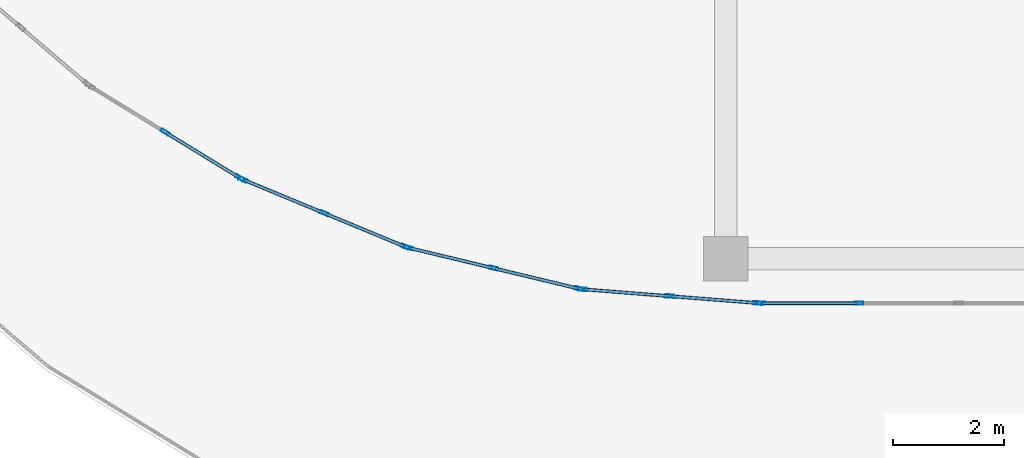
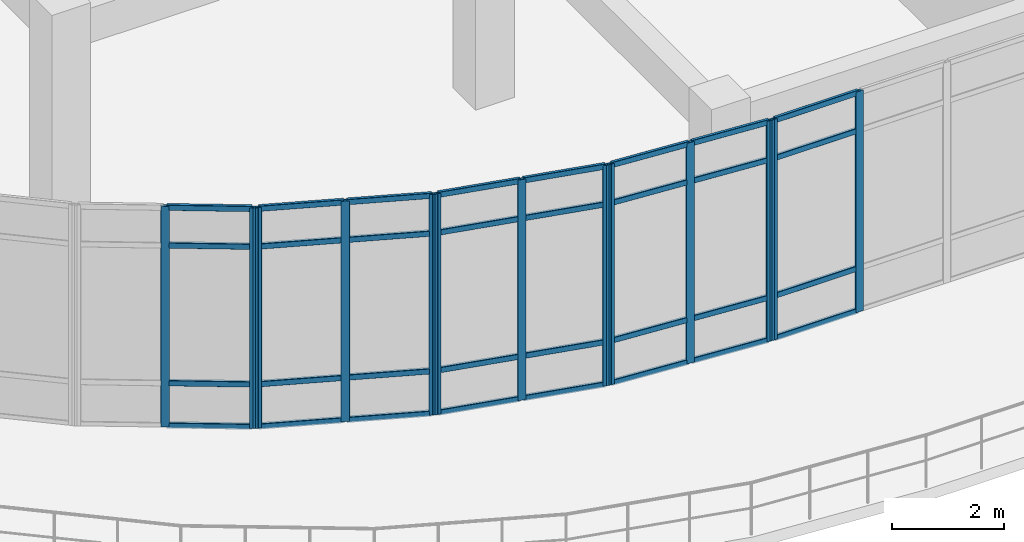
# One storey, part 7 of 96: 45 members, 5 elements without a shape of their own.
"""IFC4 building model written with IfcOpenShell, lengths in metres."""

from ifc_helpers import new_model, si_unit, derived_unit, direction, frame, origin, origin_2d, place, context, subcontext, project, spatial, hollow_rectangle, extrude, material, layer, layer_set, material_profile, profile_set, type_object, element, aggregate, save


model = new_model("IFC4")

# Units and contexts
model_context = context("Model", 3, precision=1e-05, world=origin(), true_north=direction((0.0, 1.0)))
body_context = subcontext(model_context, "Body", "Model", "MODEL_VIEW")
ifc_project = project(units=[si_unit("LENGTHUNIT", "METRE"), si_unit("AREAUNIT", "SQUARE_METRE"), si_unit("VOLUMEUNIT", "CUBIC_METRE"), si_unit("PLANEANGLEUNIT", "RADIAN"), si_unit("MASSUNIT", "GRAM", prefix="KILO"), derived_unit("THERMALTRANSMITTANCEUNIT", [(si_unit("MASSUNIT", "GRAM", prefix="KILO"), 1), (si_unit("TIMEUNIT", "SECOND"), -3), (si_unit("THERMODYNAMICTEMPERATUREUNIT", "KELVIN"), -1)])], contexts=[model_context])

# Site, building, storey
site_placement = place(None, origin())
site = spatial("IfcSite", under=ifc_project, at=site_placement, CompositionType="ELEMENT")
building_placement = place(site_placement, origin())
building = spatial("IfcBuilding", under=site, at=building_placement, Name="Qinzheling Arcade Emporium", CompositionType="ELEMENT")
storey_placement = place(building_placement, frame((0.0, 0.0, 21.60009765625)))
storey = spatial("IfcBuildingStorey", under=building, at=storey_placement, Name="L05", CompositionType="ELEMENT", Elevation=21.60009765625)

# Curtain wall, members
ifc_material_1 = material(Name="Anodised aluminium and solar-control double glazing", Category="aluminium")
ifc_layer_1 = layer(ifc_material_1, 0.159912109375, Name="Anodised aluminium and solar-control double glazing", Category="aluminium")
ifc_layer_set_1 = layer_set([ifc_layer_1], Name="Anodised aluminium and solar-control double glazing")
curtain_wall_type_1 = type_object("IfcCurtainWallType", Name="Arcade Portal Glazed Curtain Wall", PredefinedType="NOTDEFINED", material=ifc_layer_set_1)
curtain_wall_1_placement = place(storey_placement, origin())
curtain_wall_1 = element("IfcCurtainWall", 1, at=curtain_wall_1_placement, inside=storey, type_object=curtain_wall_type_1, Name="Curtain Wall CW-L05-301", PredefinedType="NOTDEFINED")
ifc_material_2 = material(Name="Anodised aluminium 6063-T6", Category="aluminium")
ifc_material_profile_1 = material_profile(ifc_material_2, hollow_rectangle(XDim=0.06005859375, YDim=0.159912109375, WallThickness=0.00390625, InnerFilletRadius=0.00390625, OuterFilletRadius=0.008056640625, at=origin_2d()), Name="RHS 160x60x4", Category="aluminium")
ifc_profile_set_1 = profile_set([ifc_material_profile_1], Name="Anodised aluminium 6063-T6")
member_type_1 = type_object("IfcMemberType", Name="Curtain Wall Mullion RHS160x60", PredefinedType="MULLION", material=ifc_profile_set_1)
member_1_placement = place(storey_placement, frame((28.494384765625, 7.60009765625, 0.0), z_axis=(0.0, 0.0, 1.0), x_axis=(0.0, -1.0, 0.0)))
member_1 = element("IfcMember", 2, at=member_1_placement, type_object=member_type_1, Name="CW05 mullion 4", PredefinedType="MULLION", context=body_context, shape_type="SweptSolid", body=[
    extrude(hollow_rectangle(XDim=0.06005859375, YDim=0.159912109375, WallThickness=0.00390625, InnerFilletRadius=0.00390625, OuterFilletRadius=0.008056640625, at=origin_2d()), origin(), (0.0, 0.0, 1.0), 4.789794921875),
])
member_2_placement = place(storey_placement, frame((26.72998046875, 7.60009765625, 0.0), z_axis=(0.0, 0.0, 1.0), x_axis=(0.0, -1.0, 0.0)))
member_2 = element("IfcMember", 3, at=member_2_placement, type_object=member_type_1, Name="CW05 mullion 5", PredefinedType="MULLION", context=body_context, shape_type="SweptSolid", body=[
    extrude(hollow_rectangle(XDim=0.06005859375, YDim=0.159912109375, WallThickness=0.00390625, InnerFilletRadius=0.00390625, OuterFilletRadius=0.008056640625, at=origin_2d()), origin(), (0.0, 0.0, 1.0), 4.789794921875),
])

ifc_layer_2 = layer(ifc_material_1, 0.159912109375, Name="Anodised aluminium and solar-control double glazing", Category="aluminium")
ifc_layer_set_2 = layer_set([ifc_layer_2], Name="Anodised aluminium and solar-control double glazing")
curtain_wall_type_2 = type_object("IfcCurtainWallType", Name="Curved Ribbon Sales Curtain Wall", PredefinedType="NOTDEFINED", material=ifc_layer_set_2)
curtain_wall_2_placement = place(storey_placement, origin())
curtain_wall_2 = element("IfcCurtainWall", 4, at=curtain_wall_2_placement, inside=storey, type_object=curtain_wall_type_2, Name="Curtain Wall CW-L05-302", PredefinedType="NOTDEFINED")
member_3_placement = place(storey_placement, frame((26.670166015625, 7.602294921875, 0.0), z_axis=(0.0, 0.0, 1.0), x_axis=(-0.078336637005, -0.996926963876, 0.0)))
member_3 = element("IfcMember", 5, at=member_3_placement, type_object=member_type_1, Name="CW02 mullion 1", PredefinedType="MULLION", context=body_context, shape_type="SweptSolid", body=[
    extrude(hollow_rectangle(XDim=0.06005859375, YDim=0.159912109375, WallThickness=0.00390625, InnerFilletRadius=0.00390625, OuterFilletRadius=0.008056640625, at=origin_2d()), origin(), (0.0, 0.0, 1.0), 4.789794921875),
])
member_4_placement = place(storey_placement, frame((25.096435546875, 7.72607421875, 0.0), z_axis=(0.0, 0.0, 1.0), x_axis=(-0.078336637005, -0.996926963876, 0.0)))
member_4 = element("IfcMember", 6, at=member_4_placement, type_object=member_type_1, Name="CW02 mullion 2", PredefinedType="MULLION", context=body_context, shape_type="SweptSolid", body=[
    extrude(hollow_rectangle(XDim=0.06005859375, YDim=0.159912109375, WallThickness=0.00390625, InnerFilletRadius=0.00390625, OuterFilletRadius=0.008056640625, at=origin_2d()), origin(), (0.0, 0.0, 1.0), 4.789794921875),
])
member_5_placement = place(storey_placement, frame((23.52294921875, 7.849609375, 0.0), z_axis=(0.0, 0.0, 1.0), x_axis=(-0.078336637005, -0.996926963876, 0.0)))
member_5 = element("IfcMember", 7, at=member_5_placement, type_object=member_type_1, Name="CW02 mullion 3", PredefinedType="MULLION", context=body_context, shape_type="SweptSolid", body=[
    extrude(hollow_rectangle(XDim=0.06005859375, YDim=0.159912109375, WallThickness=0.00390625, InnerFilletRadius=0.00390625, OuterFilletRadius=0.008056640625, at=origin_2d()), origin(), (0.0, 0.0, 1.0), 4.789794921875),
])

curtain_wall_3_placement = place(storey_placement, origin())
curtain_wall_3 = element("IfcCurtainWall", 8, at=curtain_wall_3_placement, inside=storey, type_object=curtain_wall_type_2, Name="Curtain Wall CW-L05-303", PredefinedType="NOTDEFINED")
member_6_placement = place(storey_placement, frame((23.4638671875, 7.85888671875, 0.0), z_axis=(0.0, 0.0, 1.0), x_axis=(-0.233455251725, -0.972367546477, 0.0)))
member_6 = element("IfcMember", 9, at=member_6_placement, type_object=member_type_1, Name="CW02 mullion 1", PredefinedType="MULLION", context=body_context, shape_type="SweptSolid", body=[
    extrude(hollow_rectangle(XDim=0.06005859375, YDim=0.159912109375, WallThickness=0.00390625, InnerFilletRadius=0.00390625, OuterFilletRadius=0.008056640625, at=origin_2d()), origin(), (0.0, 0.0, 1.0), 4.789794921875),
])
member_7_placement = place(storey_placement, frame((21.928955078125, 8.2275390625, 0.0), z_axis=(0.0, 0.0, 1.0), x_axis=(-0.233455251725, -0.972367546477, 0.0)))
member_7 = element("IfcMember", 10, at=member_7_placement, type_object=member_type_1, Name="CW02 mullion 2", PredefinedType="MULLION", context=body_context, shape_type="SweptSolid", body=[
    extrude(hollow_rectangle(XDim=0.06005859375, YDim=0.159912109375, WallThickness=0.00390625, InnerFilletRadius=0.00390625, OuterFilletRadius=0.008056640625, at=origin_2d()), origin(), (0.0, 0.0, 1.0), 4.789794921875),
])
member_8_placement = place(storey_placement, frame((20.394287109375, 8.595947265625, 0.0), z_axis=(0.0, 0.0, 1.0), x_axis=(-0.233455251725, -0.972367546477, 0.0)))
member_8 = element("IfcMember", 11, at=member_8_placement, type_object=member_type_1, Name="CW02 mullion 3", PredefinedType="MULLION", context=body_context, shape_type="SweptSolid", body=[
    extrude(hollow_rectangle(XDim=0.06005859375, YDim=0.159912109375, WallThickness=0.00390625, InnerFilletRadius=0.00390625, OuterFilletRadius=0.008056640625, at=origin_2d()), origin(), (0.0, 0.0, 1.0), 4.789794921875),
])

curtain_wall_4_placement = place(storey_placement, origin())
curtain_wall_4 = element("IfcCurtainWall", 12, at=curtain_wall_4_placement, inside=storey, type_object=curtain_wall_type_2, Name="Curtain Wall CW-L05-304", PredefinedType="NOTDEFINED")
member_9_placement = place(storey_placement, frame((20.33740234375, 8.614501953125, 0.0), z_axis=(0.0, 0.0, 1.0), x_axis=(-0.38267210045, -0.923884226263, 0.0)))
member_9 = element("IfcMember", 13, at=member_9_placement, type_object=member_type_1, Name="CW02 mullion 1", PredefinedType="MULLION", context=body_context, shape_type="SweptSolid", body=[
    extrude(hollow_rectangle(XDim=0.06005859375, YDim=0.159912109375, WallThickness=0.00390625, InnerFilletRadius=0.00390625, OuterFilletRadius=0.008056640625, at=origin_2d()), origin(), (0.0, 0.0, 1.0), 4.789794921875),
])
member_10_placement = place(storey_placement, frame((18.87890625, 9.218505859375, 0.0), z_axis=(0.0, 0.0, 1.0), x_axis=(-0.38267210045, -0.923884226263, 0.0)))
member_10 = element("IfcMember", 14, at=member_10_placement, type_object=member_type_1, Name="CW02 mullion 2", PredefinedType="MULLION", context=body_context, shape_type="SweptSolid", body=[
    extrude(hollow_rectangle(XDim=0.06005859375, YDim=0.159912109375, WallThickness=0.00390625, InnerFilletRadius=0.00390625, OuterFilletRadius=0.008056640625, at=origin_2d()), origin(), (0.0, 0.0, 1.0), 4.789794921875),
])
member_11_placement = place(storey_placement, frame((17.420654296875, 9.822509765625, 0.0), z_axis=(0.0, 0.0, 1.0), x_axis=(-0.38267210045, -0.923884226263, 0.0)))
member_11 = element("IfcMember", 15, at=member_11_placement, type_object=member_type_1, Name="CW02 mullion 3", PredefinedType="MULLION", context=body_context, shape_type="SweptSolid", body=[
    extrude(hollow_rectangle(XDim=0.06005859375, YDim=0.159912109375, WallThickness=0.00390625, InnerFilletRadius=0.00390625, OuterFilletRadius=0.008056640625, at=origin_2d()), origin(), (0.0, 0.0, 1.0), 4.789794921875),
])

curtain_wall_5_placement = place(storey_placement, origin())
curtain_wall_5 = element("IfcCurtainWall", 16, at=curtain_wall_5_placement, inside=storey, type_object=curtain_wall_type_2, Name="Curtain Wall CW-L05-305", PredefinedType="NOTDEFINED")
member_12_placement = place(storey_placement, frame((17.367431640625, 9.849609375, 0.0), z_axis=(0.0, 0.0, 1.0), x_axis=(-0.522518323638, -0.852628055756, 0.0)))
member_12 = element("IfcMember", 17, at=member_12_placement, type_object=member_type_1, Name="CW02 mullion 1", PredefinedType="MULLION", context=body_context, shape_type="SweptSolid", body=[
    extrude(hollow_rectangle(XDim=0.06005859375, YDim=0.159912109375, WallThickness=0.00390625, InnerFilletRadius=0.00390625, OuterFilletRadius=0.008056640625, at=origin_2d()), origin(), (0.0, 0.0, 1.0), 4.789794921875),
])
member_13_placement = place(storey_placement, frame((16.021484375, 10.674560546875, 0.0), z_axis=(0.0, 0.0, 1.0), x_axis=(-0.522518323638, -0.852628055756, 0.0)))
member_13 = element("IfcMember", 18, at=member_13_placement, type_object=member_type_1, Name="CW02 mullion 2", PredefinedType="MULLION", context=body_context, shape_type="SweptSolid", body=[
    extrude(hollow_rectangle(XDim=0.06005859375, YDim=0.159912109375, WallThickness=0.00390625, InnerFilletRadius=0.00390625, OuterFilletRadius=0.008056640625, at=origin_2d()), origin(), (0.0, 0.0, 1.0), 4.789794921875),
])

# Member
ifc_material_profile_2 = material_profile(ifc_material_2, hollow_rectangle(XDim=0.06005859375, YDim=0.1201171875, WallThickness=0.00390625, InnerFilletRadius=0.00390625, OuterFilletRadius=0.008056640625, at=origin_2d()), Name="RHS 120x60x4", Category="aluminium")
ifc_profile_set_2 = profile_set([ifc_material_profile_2], Name="Anodised aluminium 6063-T6")
member_type_2 = type_object("IfcMemberType", Name="Curtain Wall Transom RHS120x60", PredefinedType="USERDEFINED", material=ifc_profile_set_2)
member_14_placement = place(storey_placement, frame((28.464599609375, 7.60009765625, 0.02978515625), z_axis=(-1.0, 0.0, 0.0), x_axis=(0.0, -1.0, 0.0)))
member_14 = element("IfcMember", 19, at=member_14_placement, type_object=member_type_2, Name="CW05 transom 4.1", ObjectType="TRANSOM", PredefinedType="USERDEFINED", context=body_context, shape_type="SweptSolid", body=[
    extrude(hollow_rectangle(XDim=0.06005859375, YDim=0.1201171875, WallThickness=0.00390625, InnerFilletRadius=0.00390625, OuterFilletRadius=0.008056640625, at=origin_2d()), origin(), (0.0, 0.0, 1.0), 1.70458984375),
])

member_15_placement = place(storey_placement, frame((28.464599609375, 7.60009765625, 0.949951171875), z_axis=(-1.0, 0.0, 0.0), x_axis=(0.0, -1.0, 0.0)))
member_15 = element("IfcMember", 20, at=member_15_placement, type_object=member_type_2, Name="CW05 transom 4.2", ObjectType="TRANSOM", PredefinedType="USERDEFINED", context=body_context, shape_type="SweptSolid", body=[
    extrude(hollow_rectangle(XDim=0.06005859375, YDim=0.1201171875, WallThickness=0.00390625, InnerFilletRadius=0.00390625, OuterFilletRadius=0.008056640625, at=origin_2d()), origin(), (0.0, 0.0, 1.0), 1.70458984375),
])

member_16_placement = place(storey_placement, frame((28.464599609375, 7.60009765625, 3.93994140625), z_axis=(-1.0, 0.0, 0.0), x_axis=(0.0, -1.0, 0.0)))
member_16 = element("IfcMember", 21, at=member_16_placement, type_object=member_type_2, Name="CW05 transom 4.3", ObjectType="TRANSOM", PredefinedType="USERDEFINED", context=body_context, shape_type="SweptSolid", body=[
    extrude(hollow_rectangle(XDim=0.06005859375, YDim=0.1201171875, WallThickness=0.00390625, InnerFilletRadius=0.00390625, OuterFilletRadius=0.008056640625, at=origin_2d()), origin(), (0.0, 0.0, 1.0), 1.70458984375),
])

member_17_placement = place(storey_placement, frame((28.464599609375, 7.60009765625, 4.760009765625), z_axis=(-1.0, 0.0, 0.0), x_axis=(0.0, -1.0, 0.0)))
member_17 = element("IfcMember", 22, at=member_17_placement, type_object=member_type_2, Name="CW05 transom 4.4", ObjectType="TRANSOM", PredefinedType="USERDEFINED", context=body_context, shape_type="SweptSolid", body=[
    extrude(hollow_rectangle(XDim=0.06005859375, YDim=0.1201171875, WallThickness=0.00390625, InnerFilletRadius=0.00390625, OuterFilletRadius=0.008056640625, at=origin_2d()), origin(), (0.0, 0.0, 1.0), 1.70458984375),
])

aggregate(curtain_wall_1, [member_1, member_2, member_14, member_15, member_16, member_17])

member_18_placement = place(storey_placement, frame((26.64013671875, 7.604736328125, 0.02978515625), z_axis=(-0.996929277579, 0.078307186803, 0.0), x_axis=(-0.078307186803, -0.996929277579, 0.0)))
member_18 = element("IfcMember", 23, at=member_18_placement, type_object=member_type_2, Name="CW02 transom 1.1", ObjectType="TRANSOM", PredefinedType="USERDEFINED", context=body_context, shape_type="SweptSolid", body=[
    extrude(hollow_rectangle(XDim=0.06005859375, YDim=0.1201171875, WallThickness=0.00390625, InnerFilletRadius=0.00390625, OuterFilletRadius=0.008056640625, at=origin_2d()), origin(), (0.0, 0.0, 1.0), 1.518310546875),
])

member_19_placement = place(storey_placement, frame((26.64013671875, 7.604736328125, 0.949951171875), z_axis=(-0.996929277579, 0.078307186803, 0.0), x_axis=(-0.078307186803, -0.996929277579, 0.0)))
member_19 = element("IfcMember", 24, at=member_19_placement, type_object=member_type_2, Name="CW02 transom 1.2", ObjectType="TRANSOM", PredefinedType="USERDEFINED", context=body_context, shape_type="SweptSolid", body=[
    extrude(hollow_rectangle(XDim=0.06005859375, YDim=0.1201171875, WallThickness=0.00390625, InnerFilletRadius=0.00390625, OuterFilletRadius=0.008056640625, at=origin_2d()), origin(), (0.0, 0.0, 1.0), 1.518310546875),
])

member_20_placement = place(storey_placement, frame((26.64013671875, 7.604736328125, 3.93994140625), z_axis=(-0.996929277579, 0.078307186803, 0.0), x_axis=(-0.078307186803, -0.996929277579, 0.0)))
member_20 = element("IfcMember", 25, at=member_20_placement, type_object=member_type_2, Name="CW02 transom 1.3", ObjectType="TRANSOM", PredefinedType="USERDEFINED", context=body_context, shape_type="SweptSolid", body=[
    extrude(hollow_rectangle(XDim=0.06005859375, YDim=0.1201171875, WallThickness=0.00390625, InnerFilletRadius=0.00390625, OuterFilletRadius=0.008056640625, at=origin_2d()), origin(), (0.0, 0.0, 1.0), 1.518310546875),
])

member_21_placement = place(storey_placement, frame((26.64013671875, 7.604736328125, 4.760009765625), z_axis=(-0.996929277579, 0.078307186803, 0.0), x_axis=(-0.078307186803, -0.996929277579, 0.0)))
member_21 = element("IfcMember", 26, at=member_21_placement, type_object=member_type_2, Name="CW02 transom 1.4", ObjectType="TRANSOM", PredefinedType="USERDEFINED", context=body_context, shape_type="SweptSolid", body=[
    extrude(hollow_rectangle(XDim=0.06005859375, YDim=0.1201171875, WallThickness=0.00390625, InnerFilletRadius=0.00390625, OuterFilletRadius=0.008056640625, at=origin_2d()), origin(), (0.0, 0.0, 1.0), 1.518310546875),
])

member_22_placement = place(storey_placement, frame((25.066650390625, 7.728271484375, 0.02978515625), z_axis=(-0.996917701962, 0.078454416797, 0.0), x_axis=(-0.078454416797, -0.996917701962, 0.0)))
member_22 = element("IfcMember", 27, at=member_22_placement, type_object=member_type_2, Name="CW02 transom 2.1", ObjectType="TRANSOM", PredefinedType="USERDEFINED", context=body_context, shape_type="SweptSolid", body=[
    extrude(hollow_rectangle(XDim=0.06005859375, YDim=0.1201171875, WallThickness=0.00390625, InnerFilletRadius=0.00390625, OuterFilletRadius=0.008056640625, at=origin_2d()), origin(), (0.0, 0.0, 1.0), 1.5185546875),
])

member_23_placement = place(storey_placement, frame((25.066650390625, 7.728271484375, 0.949951171875), z_axis=(-0.996917701962, 0.078454416797, 0.0), x_axis=(-0.078454416797, -0.996917701962, 0.0)))
member_23 = element("IfcMember", 28, at=member_23_placement, type_object=member_type_2, Name="CW02 transom 2.2", ObjectType="TRANSOM", PredefinedType="USERDEFINED", context=body_context, shape_type="SweptSolid", body=[
    extrude(hollow_rectangle(XDim=0.06005859375, YDim=0.1201171875, WallThickness=0.00390625, InnerFilletRadius=0.00390625, OuterFilletRadius=0.008056640625, at=origin_2d()), origin(), (0.0, 0.0, 1.0), 1.5185546875),
])

member_24_placement = place(storey_placement, frame((25.066650390625, 7.728271484375, 3.93994140625), z_axis=(-0.996917701962, 0.078454416797, 0.0), x_axis=(-0.078454416797, -0.996917701962, 0.0)))
member_24 = element("IfcMember", 29, at=member_24_placement, type_object=member_type_2, Name="CW02 transom 2.3", ObjectType="TRANSOM", PredefinedType="USERDEFINED", context=body_context, shape_type="SweptSolid", body=[
    extrude(hollow_rectangle(XDim=0.06005859375, YDim=0.1201171875, WallThickness=0.00390625, InnerFilletRadius=0.00390625, OuterFilletRadius=0.008056640625, at=origin_2d()), origin(), (0.0, 0.0, 1.0), 1.5185546875),
])

member_25_placement = place(storey_placement, frame((25.066650390625, 7.728271484375, 4.760009765625), z_axis=(-0.996917701962, 0.078454416797, 0.0), x_axis=(-0.078454416797, -0.996917701962, 0.0)))
member_25 = element("IfcMember", 30, at=member_25_placement, type_object=member_type_2, Name="CW02 transom 2.4", ObjectType="TRANSOM", PredefinedType="USERDEFINED", context=body_context, shape_type="SweptSolid", body=[
    extrude(hollow_rectangle(XDim=0.06005859375, YDim=0.1201171875, WallThickness=0.00390625, InnerFilletRadius=0.00390625, OuterFilletRadius=0.008056640625, at=origin_2d()), origin(), (0.0, 0.0, 1.0), 1.5185546875),
])

aggregate(curtain_wall_2, [member_3, member_4, member_5, member_18, member_19, member_20, member_21, member_22, member_23, member_24, member_25])

member_26_placement = place(storey_placement, frame((23.4345703125, 7.865966796875, 0.02978515625), z_axis=(-0.972361022806, 0.233482421881, 0.0), x_axis=(-0.233482421881, -0.972361022806, 0.0)))
member_26 = element("IfcMember", 31, at=member_26_placement, type_object=member_type_2, Name="CW02 transom 1.1", ObjectType="TRANSOM", PredefinedType="USERDEFINED", context=body_context, shape_type="SweptSolid", body=[
    extrude(hollow_rectangle(XDim=0.06005859375, YDim=0.1201171875, WallThickness=0.00390625, InnerFilletRadius=0.00390625, OuterFilletRadius=0.008056640625, at=origin_2d()), origin(), (0.0, 0.0, 1.0), 1.518310546875),
])

member_27_placement = place(storey_placement, frame((23.4345703125, 7.865966796875, 0.949951171875), z_axis=(-0.972361022806, 0.233482421881, 0.0), x_axis=(-0.233482421881, -0.972361022806, 0.0)))
member_27 = element("IfcMember", 32, at=member_27_placement, type_object=member_type_2, Name="CW02 transom 1.2", ObjectType="TRANSOM", PredefinedType="USERDEFINED", context=body_context, shape_type="SweptSolid", body=[
    extrude(hollow_rectangle(XDim=0.06005859375, YDim=0.1201171875, WallThickness=0.00390625, InnerFilletRadius=0.00390625, OuterFilletRadius=0.008056640625, at=origin_2d()), origin(), (0.0, 0.0, 1.0), 1.518310546875),
])

member_28_placement = place(storey_placement, frame((23.4345703125, 7.865966796875, 3.93994140625), z_axis=(-0.972361022806, 0.233482421881, 0.0), x_axis=(-0.233482421881, -0.972361022806, 0.0)))
member_28 = element("IfcMember", 33, at=member_28_placement, type_object=member_type_2, Name="CW02 transom 1.3", ObjectType="TRANSOM", PredefinedType="USERDEFINED", context=body_context, shape_type="SweptSolid", body=[
    extrude(hollow_rectangle(XDim=0.06005859375, YDim=0.1201171875, WallThickness=0.00390625, InnerFilletRadius=0.00390625, OuterFilletRadius=0.008056640625, at=origin_2d()), origin(), (0.0, 0.0, 1.0), 1.518310546875),
])

member_29_placement = place(storey_placement, frame((23.4345703125, 7.865966796875, 4.760009765625), z_axis=(-0.972361022806, 0.233482421881, 0.0), x_axis=(-0.233482421881, -0.972361022806, 0.0)))
member_29 = element("IfcMember", 34, at=member_29_placement, type_object=member_type_2, Name="CW02 transom 1.4", ObjectType="TRANSOM", PredefinedType="USERDEFINED", context=body_context, shape_type="SweptSolid", body=[
    extrude(hollow_rectangle(XDim=0.06005859375, YDim=0.1201171875, WallThickness=0.00390625, InnerFilletRadius=0.00390625, OuterFilletRadius=0.008056640625, at=origin_2d()), origin(), (0.0, 0.0, 1.0), 1.518310546875),
])

member_30_placement = place(storey_placement, frame((21.89990234375, 8.234619140625, 0.02978515625), z_axis=(-0.972369786639, 0.233445920999, 0.0), x_axis=(-0.233445920999, -0.972369786639, 0.0)))
member_30 = element("IfcMember", 35, at=member_30_placement, type_object=member_type_2, Name="CW02 transom 2.1", ObjectType="TRANSOM", PredefinedType="USERDEFINED", context=body_context, shape_type="SweptSolid", body=[
    extrude(hollow_rectangle(XDim=0.06005859375, YDim=0.1201171875, WallThickness=0.00390625, InnerFilletRadius=0.00390625, OuterFilletRadius=0.008056640625, at=origin_2d()), origin(), (0.0, 0.0, 1.0), 1.5185546875),
])

member_31_placement = place(storey_placement, frame((21.89990234375, 8.234619140625, 0.949951171875), z_axis=(-0.972369786639, 0.233445920999, 0.0), x_axis=(-0.233445920999, -0.972369786639, 0.0)))
member_31 = element("IfcMember", 36, at=member_31_placement, type_object=member_type_2, Name="CW02 transom 2.2", ObjectType="TRANSOM", PredefinedType="USERDEFINED", context=body_context, shape_type="SweptSolid", body=[
    extrude(hollow_rectangle(XDim=0.06005859375, YDim=0.1201171875, WallThickness=0.00390625, InnerFilletRadius=0.00390625, OuterFilletRadius=0.008056640625, at=origin_2d()), origin(), (0.0, 0.0, 1.0), 1.5185546875),
])

member_32_placement = place(storey_placement, frame((21.89990234375, 8.234619140625, 3.93994140625), z_axis=(-0.972369786639, 0.233445920999, 0.0), x_axis=(-0.233445920999, -0.972369786639, 0.0)))
member_32 = element("IfcMember", 37, at=member_32_placement, type_object=member_type_2, Name="CW02 transom 2.3", ObjectType="TRANSOM", PredefinedType="USERDEFINED", context=body_context, shape_type="SweptSolid", body=[
    extrude(hollow_rectangle(XDim=0.06005859375, YDim=0.1201171875, WallThickness=0.00390625, InnerFilletRadius=0.00390625, OuterFilletRadius=0.008056640625, at=origin_2d()), origin(), (0.0, 0.0, 1.0), 1.5185546875),
])

member_33_placement = place(storey_placement, frame((21.89990234375, 8.234619140625, 4.760009765625), z_axis=(-0.972369786639, 0.233445920999, 0.0), x_axis=(-0.233445920999, -0.972369786639, 0.0)))
member_33 = element("IfcMember", 38, at=member_33_placement, type_object=member_type_2, Name="CW02 transom 2.4", ObjectType="TRANSOM", PredefinedType="USERDEFINED", context=body_context, shape_type="SweptSolid", body=[
    extrude(hollow_rectangle(XDim=0.06005859375, YDim=0.1201171875, WallThickness=0.00390625, InnerFilletRadius=0.00390625, OuterFilletRadius=0.008056640625, at=origin_2d()), origin(), (0.0, 0.0, 1.0), 1.5185546875),
])

aggregate(curtain_wall_3, [member_6, member_7, member_8, member_26, member_27, member_28, member_29, member_30, member_31, member_32, member_33])

member_34_placement = place(storey_placement, frame((20.3095703125, 8.6259765625, 0.02978515625), z_axis=(-0.923883575944, 0.382673670509, 0.0), x_axis=(-0.382673670509, -0.923883575944, 0.0)))
member_34 = element("IfcMember", 39, at=member_34_placement, type_object=member_type_2, Name="CW02 transom 1.1", ObjectType="TRANSOM", PredefinedType="USERDEFINED", context=body_context, shape_type="SweptSolid", body=[
    extrude(hollow_rectangle(XDim=0.06005859375, YDim=0.1201171875, WallThickness=0.00390625, InnerFilletRadius=0.00390625, OuterFilletRadius=0.008056640625, at=origin_2d()), origin(), (0.0, 0.0, 1.0), 1.518310546875),
])

member_35_placement = place(storey_placement, frame((20.3095703125, 8.6259765625, 0.949951171875), z_axis=(-0.923883575944, 0.382673670509, 0.0), x_axis=(-0.382673670509, -0.923883575944, 0.0)))
member_35 = element("IfcMember", 40, at=member_35_placement, type_object=member_type_2, Name="CW02 transom 1.2", ObjectType="TRANSOM", PredefinedType="USERDEFINED", context=body_context, shape_type="SweptSolid", body=[
    extrude(hollow_rectangle(XDim=0.06005859375, YDim=0.1201171875, WallThickness=0.00390625, InnerFilletRadius=0.00390625, OuterFilletRadius=0.008056640625, at=origin_2d()), origin(), (0.0, 0.0, 1.0), 1.518310546875),
])

member_36_placement = place(storey_placement, frame((20.3095703125, 8.6259765625, 3.93994140625), z_axis=(-0.923883575944, 0.382673670509, 0.0), x_axis=(-0.382673670509, -0.923883575944, 0.0)))
member_36 = element("IfcMember", 41, at=member_36_placement, type_object=member_type_2, Name="CW02 transom 1.3", ObjectType="TRANSOM", PredefinedType="USERDEFINED", context=body_context, shape_type="SweptSolid", body=[
    extrude(hollow_rectangle(XDim=0.06005859375, YDim=0.1201171875, WallThickness=0.00390625, InnerFilletRadius=0.00390625, OuterFilletRadius=0.008056640625, at=origin_2d()), origin(), (0.0, 0.0, 1.0), 1.518310546875),
])

member_37_placement = place(storey_placement, frame((20.3095703125, 8.6259765625, 4.760009765625), z_axis=(-0.923883575944, 0.382673670509, 0.0), x_axis=(-0.382673670509, -0.923883575944, 0.0)))
member_37 = element("IfcMember", 42, at=member_37_placement, type_object=member_type_2, Name="CW02 transom 1.4", ObjectType="TRANSOM", PredefinedType="USERDEFINED", context=body_context, shape_type="SweptSolid", body=[
    extrude(hollow_rectangle(XDim=0.06005859375, YDim=0.1201171875, WallThickness=0.00390625, InnerFilletRadius=0.00390625, OuterFilletRadius=0.008056640625, at=origin_2d()), origin(), (0.0, 0.0, 1.0), 1.518310546875),
])

member_38_placement = place(storey_placement, frame((18.851318359375, 9.22998046875, 0.02978515625), z_axis=(-0.923883575944, 0.382673670509, 0.0), x_axis=(-0.382673670509, -0.923883575944, 0.0)))
member_38 = element("IfcMember", 43, at=member_38_placement, type_object=member_type_2, Name="CW02 transom 2.1", ObjectType="TRANSOM", PredefinedType="USERDEFINED", context=body_context, shape_type="SweptSolid", body=[
    extrude(hollow_rectangle(XDim=0.06005859375, YDim=0.1201171875, WallThickness=0.00390625, InnerFilletRadius=0.00390625, OuterFilletRadius=0.008056640625, at=origin_2d()), origin(), (0.0, 0.0, 1.0), 1.518310546875),
])

member_39_placement = place(storey_placement, frame((18.851318359375, 9.22998046875, 0.949951171875), z_axis=(-0.923883575944, 0.382673670509, 0.0), x_axis=(-0.382673670509, -0.923883575944, 0.0)))
member_39 = element("IfcMember", 44, at=member_39_placement, type_object=member_type_2, Name="CW02 transom 2.2", ObjectType="TRANSOM", PredefinedType="USERDEFINED", context=body_context, shape_type="SweptSolid", body=[
    extrude(hollow_rectangle(XDim=0.06005859375, YDim=0.1201171875, WallThickness=0.00390625, InnerFilletRadius=0.00390625, OuterFilletRadius=0.008056640625, at=origin_2d()), origin(), (0.0, 0.0, 1.0), 1.518310546875),
])

member_40_placement = place(storey_placement, frame((18.851318359375, 9.22998046875, 3.93994140625), z_axis=(-0.923883575944, 0.382673670509, 0.0), x_axis=(-0.382673670509, -0.923883575944, 0.0)))
member_40 = element("IfcMember", 45, at=member_40_placement, type_object=member_type_2, Name="CW02 transom 2.3", ObjectType="TRANSOM", PredefinedType="USERDEFINED", context=body_context, shape_type="SweptSolid", body=[
    extrude(hollow_rectangle(XDim=0.06005859375, YDim=0.1201171875, WallThickness=0.00390625, InnerFilletRadius=0.00390625, OuterFilletRadius=0.008056640625, at=origin_2d()), origin(), (0.0, 0.0, 1.0), 1.518310546875),
])

member_41_placement = place(storey_placement, frame((18.851318359375, 9.22998046875, 4.760009765625), z_axis=(-0.923883575944, 0.382673670509, 0.0), x_axis=(-0.382673670509, -0.923883575944, 0.0)))
member_41 = element("IfcMember", 46, at=member_41_placement, type_object=member_type_2, Name="CW02 transom 2.4", ObjectType="TRANSOM", PredefinedType="USERDEFINED", context=body_context, shape_type="SweptSolid", body=[
    extrude(hollow_rectangle(XDim=0.06005859375, YDim=0.1201171875, WallThickness=0.00390625, InnerFilletRadius=0.00390625, OuterFilletRadius=0.008056640625, at=origin_2d()), origin(), (0.0, 0.0, 1.0), 1.518310546875),
])

aggregate(curtain_wall_4, [member_9, member_10, member_11, member_34, member_35, member_36, member_37, member_38, member_39, member_40, member_41])

member_42_placement = place(storey_placement, frame((17.341796875, 9.865234375, 0.02978515625), z_axis=(-0.852545794045, 0.522652531857, 0.0), x_axis=(-0.522652531857, -0.852545794045, 0.0)))
member_42 = element("IfcMember", 47, at=member_42_placement, type_object=member_type_2, Name="CW02 transom 1.1", ObjectType="TRANSOM", PredefinedType="USERDEFINED", context=body_context, shape_type="SweptSolid", body=[
    extrude(hollow_rectangle(XDim=0.06005859375, YDim=0.1201171875, WallThickness=0.00390625, InnerFilletRadius=0.00390625, OuterFilletRadius=0.008056640625, at=origin_2d()), origin(), (0.0, 0.0, 1.0), 1.5185546875),
])

member_43_placement = place(storey_placement, frame((17.341796875, 9.865234375, 0.949951171875), z_axis=(-0.852545794045, 0.522652531857, 0.0), x_axis=(-0.522652531857, -0.852545794045, 0.0)))
member_43 = element("IfcMember", 48, at=member_43_placement, type_object=member_type_2, Name="CW02 transom 1.2", ObjectType="TRANSOM", PredefinedType="USERDEFINED", context=body_context, shape_type="SweptSolid", body=[
    extrude(hollow_rectangle(XDim=0.06005859375, YDim=0.1201171875, WallThickness=0.00390625, InnerFilletRadius=0.00390625, OuterFilletRadius=0.008056640625, at=origin_2d()), origin(), (0.0, 0.0, 1.0), 1.5185546875),
])

member_44_placement = place(storey_placement, frame((17.341796875, 9.865234375, 3.93994140625), z_axis=(-0.852545794045, 0.522652531857, 0.0), x_axis=(-0.522652531857, -0.852545794045, 0.0)))
member_44 = element("IfcMember", 49, at=member_44_placement, type_object=member_type_2, Name="CW02 transom 1.3", ObjectType="TRANSOM", PredefinedType="USERDEFINED", context=body_context, shape_type="SweptSolid", body=[
    extrude(hollow_rectangle(XDim=0.06005859375, YDim=0.1201171875, WallThickness=0.00390625, InnerFilletRadius=0.00390625, OuterFilletRadius=0.008056640625, at=origin_2d()), origin(), (0.0, 0.0, 1.0), 1.5185546875),
])

member_45_placement = place(storey_placement, frame((17.341796875, 9.865234375, 4.760009765625), z_axis=(-0.852545794045, 0.522652531857, 0.0), x_axis=(-0.522652531857, -0.852545794045, 0.0)))
member_45 = element("IfcMember", 50, at=member_45_placement, type_object=member_type_2, Name="CW02 transom 1.4", ObjectType="TRANSOM", PredefinedType="USERDEFINED", context=body_context, shape_type="SweptSolid", body=[
    extrude(hollow_rectangle(XDim=0.06005859375, YDim=0.1201171875, WallThickness=0.00390625, InnerFilletRadius=0.00390625, OuterFilletRadius=0.008056640625, at=origin_2d()), origin(), (0.0, 0.0, 1.0), 1.5185546875),
])

aggregate(curtain_wall_5, [member_12, member_13, member_42, member_43, member_44, member_45])

save(model, "model.ifc")
